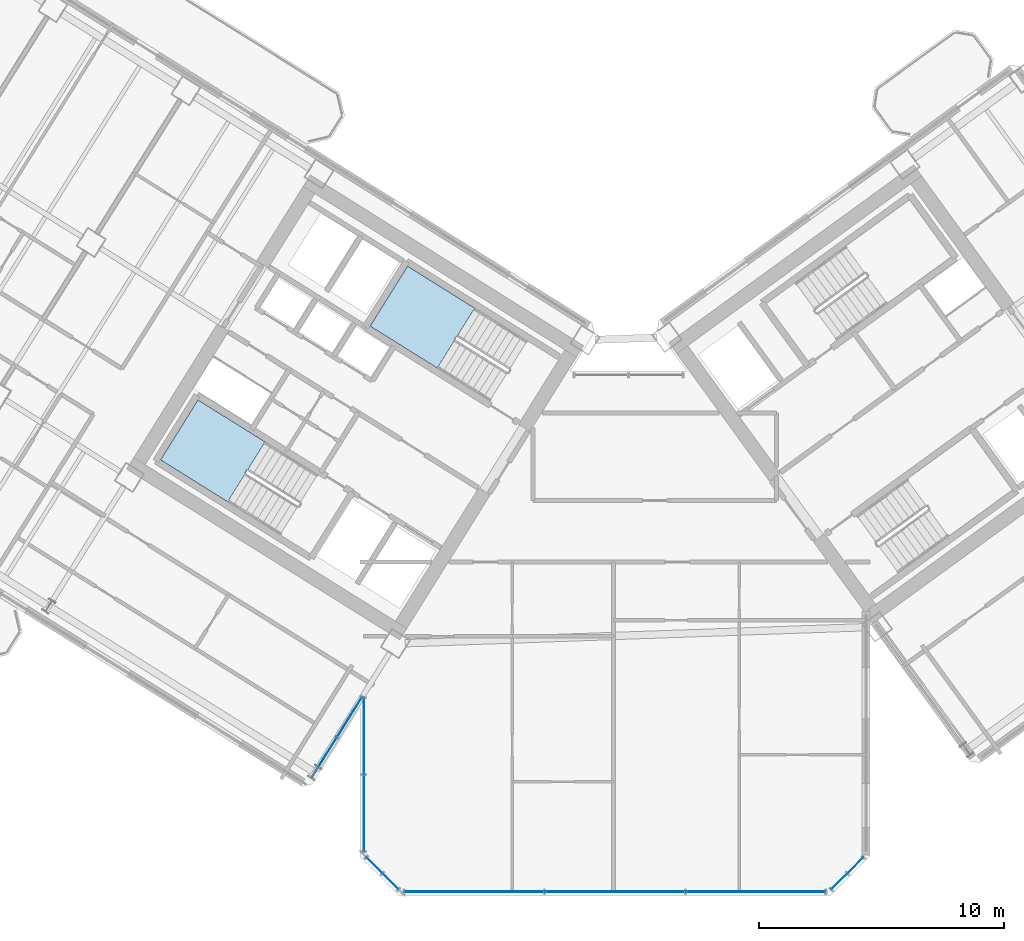
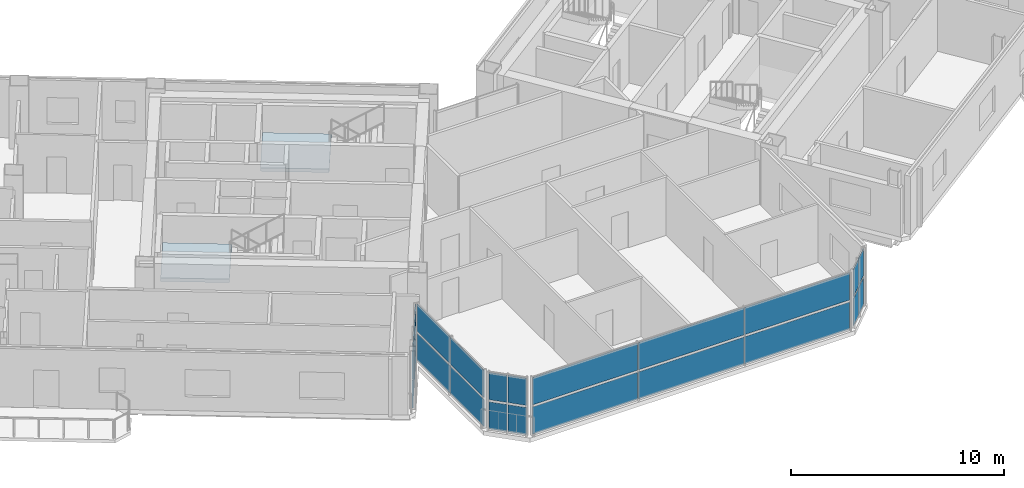
# One storey, part 14 of 29: 22 plates, 2 slabs, 7 elements without a shape of their own.
"""IFC4 building model written with IfcOpenShell, lengths in metres."""

from ifc_helpers import new_model, si_unit, direction, frame, origin, origin_2d, place, context, subcontext, project, spatial, polyline, rectangle, outline, extrude, source, transform, mapped, material, layer, layer_set, type_object, element, aggregate, save


model = new_model("IFC4")

# Units and contexts
model_context = context("Model", 3, precision=1e-05, world=origin(), true_north=direction((0.0, 1.0)))
body_context = subcontext(model_context, "Body", "Model", "MODEL_VIEW")
ifc_project = project(units=[si_unit("LENGTHUNIT", "METRE"), si_unit("AREAUNIT", "SQUARE_METRE"), si_unit("VOLUMEUNIT", "CUBIC_METRE"), si_unit("PLANEANGLEUNIT", "RADIAN"), si_unit("MASSUNIT", "GRAM", prefix="KILO")], contexts=[model_context])

# Site, building, storey
site_placement = place(None, origin())
site = spatial("IfcSite", under=ifc_project, at=site_placement, CompositionType="ELEMENT")
building_placement = place(site_placement, origin())
building = spatial("IfcBuilding", under=site, at=building_placement, Name="Tlacorven Tower", CompositionType="ELEMENT")
storey_placement = place(building_placement, frame((0.0, 0.0, 158.699951171875)))
storey = spatial("IfcBuildingStorey", under=building, at=storey_placement, Name="L40", CompositionType="ELEMENT", Elevation=158.699951171875)

# Stair, slab
ifc_material_1 = material(Name="Concrete C40/50", Category="concrete")
stair_type = type_object("IfcStairType", Name="ST-CORE-DLG", PredefinedType="HALF_TURN_STAIR", material=ifc_material_1)
stair_1_placement = place(storey_placement, origin())
stair_1 = element("IfcStair", 1, at=stair_1_placement, inside=storey, type_object=stair_type, Name="L40 Protected Exit Stair West 1", PredefinedType="HALF_TURN_STAIR")
ifc_layer_1 = layer(ifc_material_1, 0.199951171875)
ifc_layer_set_1 = layer_set([ifc_layer_1], Name="Concrete C40/50")
slab_type = type_object("IfcSlabType", Name="SL-LND-200", PredefinedType="LANDING", material=ifc_layer_set_1)
slab_1_placement = place(storey_placement, frame((0.0, 0.0, 1.60009765625)))
slab_1 = element("IfcSlab", 2, at=slab_1_placement, type_object=slab_type, Name="ST-W1 landing 1", PredefinedType="LANDING", context=body_context, shape_type="SweptSolid", body=[
    extrude(outline(polyline([(27.728515625, 20.315185546875), (24.9892578125, 22.02685546875), (23.463134765625, 19.58447265625), (26.2021484375, 17.872802734375), (27.728515625, 20.315185546875)])), origin(), (0.0, 0.0, 1.0), 0.199951171875),
])
aggregate(stair_1, [slab_1])

stair_2_placement = place(storey_placement, origin())
stair_2 = element("IfcStair", 3, at=stair_2_placement, inside=storey, type_object=stair_type, Name="L40 Protected Exit Stair West 2", PredefinedType="HALF_TURN_STAIR")
slab_2_placement = place(storey_placement, frame((0.0, 0.0, 1.60009765625)))
slab_2 = element("IfcSlab", 4, at=slab_2_placement, type_object=slab_type, Name="ST-W2 landing 1", PredefinedType="LANDING", context=body_context, shape_type="SweptSolid", body=[
    extrude(outline(polyline([(36.280029296875, 25.772705078125), (33.540771484375, 27.484375), (32.0146484375, 25.0419921875), (34.75390625, 23.33056640625), (36.280029296875, 25.772705078125)])), origin(), (0.0, 0.0, 1.0), 0.199951171875),
])
aggregate(stair_2, [slab_2])

# Curtain wall, plates
ifc_material_2 = material(Name="Dark solar low-E double glazing in aluminium frame", Category="aluminium")
curtain_wall_type = type_object("IfcCurtainWallType", Name="CW-TWR-MID", PredefinedType="USERDEFINED", material=ifc_material_2)
curtain_wall_1_placement = place(storey_placement, origin())
curtain_wall_1 = element("IfcCurtainWall", 5, at=curtain_wall_1_placement, inside=storey, type_object=curtain_wall_type, Name="L40 CW-TWR-MID Curtain Wall 178", ObjectType="UNITISED CURTAIN WALL", PredefinedType="USERDEFINED")
ifc_material_3 = material(Name="High-wind dark solar tempered low-E glazing", Category="glass")
ifc_layer_2 = layer(ifc_material_3, 0.028076171875)
ifc_layer_set_2 = layer_set([ifc_layer_2], Name="High-wind dark solar tempered low-E glazing")
plate_type = type_object("IfcPlateType", Name="CWP-03", PredefinedType="CURTAIN_PANEL", material=ifc_layer_set_2)
shared_shape_1 = source(origin(), body_context, "Body", "SweptSolid", [
    extrude(rectangle(XDim=0.885498046875, YDim=0.028076171875, at=origin_2d()), origin(), (0.0, 0.0, 1.0), 1.552978515625),
])
plate_1_placement = place(storey_placement, frame((51.816650390625, 3.04296875, 0.06103515625), z_axis=(0.0, 0.0, 1.0), x_axis=(-0.707106781187, -0.707106781187, 0.0)))
plate_1 = element("IfcPlate", 6, at=plate_1_placement, type_object=plate_type, Name="CW-L40-178 Glazing Panel 1", PredefinedType="CURTAIN_PANEL", context=body_context, shape_type="MappedRepresentation", body=[
    mapped(shared_shape_1, transform((0.0, 0.0, 0.0), scale=1.0)),
])
plate_2_placement = place(storey_placement, frame((51.816650390625, 3.04296875, 1.73583984375), z_axis=(0.0, 0.0, 1.0), x_axis=(-0.707106781187, -0.707106781187, 0.0)))
plate_2 = element("IfcPlate", 7, at=plate_2_placement, type_object=plate_type, Name="CW-L40-178 Glazing Panel 2", PredefinedType="CURTAIN_PANEL", context=body_context, shape_type="MappedRepresentation", body=[
    mapped(shared_shape_1, transform((0.0, 0.0, 0.0), scale=1.0)),
])
plate_3_placement = place(storey_placement, frame((51.1572265625, 2.38330078125, 0.06103515625), z_axis=(0.0, 0.0, 1.0), x_axis=(-0.707106781187, -0.707106781187, 0.0)))
plate_3 = element("IfcPlate", 8, at=plate_3_placement, type_object=plate_type, Name="CW-L40-178 Glazing Panel 3", PredefinedType="CURTAIN_PANEL", context=body_context, shape_type="MappedRepresentation", body=[
    mapped(shared_shape_1, transform((0.0, 0.0, 0.0), scale=1.0)),
])
plate_4_placement = place(storey_placement, frame((51.1572265625, 2.38330078125, 1.73583984375), z_axis=(0.0, 0.0, 1.0), x_axis=(-0.707106781187, -0.707106781187, 0.0)))
plate_4 = element("IfcPlate", 9, at=plate_4_placement, type_object=plate_type, Name="CW-L40-178 Glazing Panel 4", PredefinedType="CURTAIN_PANEL", context=body_context, shape_type="MappedRepresentation", body=[
    mapped(shared_shape_1, transform((0.0, 0.0, 0.0), scale=1.0)),
])
aggregate(curtain_wall_1, [plate_1, plate_2, plate_3, plate_4])

curtain_wall_2_placement = place(storey_placement, origin())
curtain_wall_2 = element("IfcCurtainWall", 10, at=curtain_wall_2_placement, inside=storey, type_object=curtain_wall_type, Name="L40 CW-TWR-MID Curtain Wall 180", ObjectType="UNITISED CURTAIN WALL", PredefinedType="USERDEFINED")
plate_5_placement = place(storey_placement, frame((32.8427734375, 2.38330078125, 0.06103515625), z_axis=(0.0, 0.0, 1.0), x_axis=(-0.707106781187, 0.707106781187, 0.0)))
plate_5 = element("IfcPlate", 11, at=plate_5_placement, type_object=plate_type, Name="CW-L40-180 Glazing Panel 1", PredefinedType="CURTAIN_PANEL", context=body_context, shape_type="MappedRepresentation", body=[
    mapped(shared_shape_1, transform((0.0, 0.0, 0.0), scale=1.0)),
])
plate_6_placement = place(storey_placement, frame((32.8427734375, 2.38330078125, 1.73583984375), z_axis=(0.0, 0.0, 1.0), x_axis=(-0.707106781187, 0.707106781187, 0.0)))
plate_6 = element("IfcPlate", 12, at=plate_6_placement, type_object=plate_type, Name="CW-L40-180 Glazing Panel 2", PredefinedType="CURTAIN_PANEL", context=body_context, shape_type="MappedRepresentation", body=[
    mapped(shared_shape_1, transform((0.0, 0.0, 0.0), scale=1.0)),
])
plate_7_placement = place(storey_placement, frame((32.183349609375, 3.04296875, 0.06103515625), z_axis=(0.0, 0.0, 1.0), x_axis=(-0.707106781187, 0.707106781187, 0.0)))
plate_7 = element("IfcPlate", 13, at=plate_7_placement, type_object=plate_type, Name="CW-L40-180 Glazing Panel 3", PredefinedType="CURTAIN_PANEL", context=body_context, shape_type="MappedRepresentation", body=[
    mapped(shared_shape_1, transform((0.0, 0.0, 0.0), scale=1.0)),
])
plate_8_placement = place(storey_placement, frame((32.183349609375, 3.04296875, 1.73583984375), z_axis=(0.0, 0.0, 1.0), x_axis=(-0.707106781187, 0.707106781187, 0.0)))
plate_8 = element("IfcPlate", 14, at=plate_8_placement, type_object=plate_type, Name="CW-L40-180 Glazing Panel 4", PredefinedType="CURTAIN_PANEL", context=body_context, shape_type="MappedRepresentation", body=[
    mapped(shared_shape_1, transform((0.0, 0.0, 0.0), scale=1.0)),
])
aggregate(curtain_wall_2, [plate_5, plate_6, plate_7, plate_8])

curtain_wall_3_placement = place(storey_placement, origin())
curtain_wall_3 = element("IfcCurtainWall", 15, at=curtain_wall_3_placement, inside=storey, type_object=curtain_wall_type, Name="L40 CW-TWR-MID Curtain Wall 179", ObjectType="UNITISED CURTAIN WALL", PredefinedType="USERDEFINED")
shared_shape_2 = source(origin(), body_context, "Body", "SweptSolid", [
    extrude(rectangle(XDim=5.67626953125, YDim=0.028076171875, at=origin_2d()), origin(), (0.0, 0.0, 1.0), 1.552978515625),
])
plate_9_placement = place(storey_placement, frame((47.739501953125, 1.9599609375, 0.06103515625), z_axis=(0.0, 0.0, 1.0), x_axis=(-1.0, 0.0, 0.0)))
plate_9 = element("IfcPlate", 16, at=plate_9_placement, type_object=plate_type, Name="CW-L40-179 Glazing Panel 1", PredefinedType="CURTAIN_PANEL", context=body_context, shape_type="MappedRepresentation", body=[
    mapped(shared_shape_2, transform((0.0, 0.0, 0.0), scale=1.0)),
])
plate_10_placement = place(storey_placement, frame((47.739501953125, 1.9599609375, 1.73583984375), z_axis=(0.0, 0.0, 1.0), x_axis=(-1.0, 0.0, 0.0)))
plate_10 = element("IfcPlate", 17, at=plate_10_placement, type_object=plate_type, Name="CW-L40-179 Glazing Panel 2", PredefinedType="CURTAIN_PANEL", context=body_context, shape_type="MappedRepresentation", body=[
    mapped(shared_shape_2, transform((0.0, 0.0, 0.0), scale=1.0)),
])
plate_11_placement = place(storey_placement, frame((36.260498046875, 1.9599609375, 0.06103515625), z_axis=(0.0, 0.0, 1.0), x_axis=(-1.0, 0.0, 0.0)))
plate_11 = element("IfcPlate", 18, at=plate_11_placement, type_object=plate_type, Name="CW-L40-179 Glazing Panel 5", PredefinedType="CURTAIN_PANEL", context=body_context, shape_type="MappedRepresentation", body=[
    mapped(shared_shape_2, transform((0.0, 0.0, 0.0), scale=1.0)),
])
plate_12_placement = place(storey_placement, frame((36.260498046875, 1.9599609375, 1.73583984375), z_axis=(0.0, 0.0, 1.0), x_axis=(-1.0, 0.0, 0.0)))
plate_12 = element("IfcPlate", 19, at=plate_12_placement, type_object=plate_type, Name="CW-L40-179 Glazing Panel 6", PredefinedType="CURTAIN_PANEL", context=body_context, shape_type="MappedRepresentation", body=[
    mapped(shared_shape_2, transform((0.0, 0.0, 0.0), scale=1.0)),
])
shared_shape_3 = source(origin(), body_context, "Body", "SweptSolid", [
    extrude(rectangle(XDim=5.708740234375, YDim=0.028076171875, at=origin_2d()), origin(), (0.0, 0.0, 1.0), 1.552978515625),
])
plate_13_placement = place(storey_placement, frame((42.0, 1.9599609375, 0.06103515625), z_axis=(0.0, 0.0, 1.0), x_axis=(-1.0, 0.0, 0.0)))
plate_13 = element("IfcPlate", 20, at=plate_13_placement, type_object=plate_type, Name="CW-L40-179 Glazing Panel 3", PredefinedType="CURTAIN_PANEL", context=body_context, shape_type="MappedRepresentation", body=[
    mapped(shared_shape_3, transform((0.0, 0.0, 0.0), scale=1.0)),
])
plate_14_placement = place(storey_placement, frame((42.0, 1.9599609375, 1.73583984375), z_axis=(0.0, 0.0, 1.0), x_axis=(-1.0, 0.0, 0.0)))
plate_14 = element("IfcPlate", 21, at=plate_14_placement, type_object=plate_type, Name="CW-L40-179 Glazing Panel 4", PredefinedType="CURTAIN_PANEL", context=body_context, shape_type="MappedRepresentation", body=[
    mapped(shared_shape_3, transform((0.0, 0.0, 0.0), scale=1.0)),
])
aggregate(curtain_wall_3, [plate_9, plate_10, plate_13, plate_14, plate_11, plate_12])

curtain_wall_4_placement = place(storey_placement, origin())
curtain_wall_4 = element("IfcCurtainWall", 22, at=curtain_wall_4_placement, inside=storey, type_object=curtain_wall_type, Name="L40 CW-TWR-MID Curtain Wall 181", ObjectType="UNITISED CURTAIN WALL", PredefinedType="USERDEFINED")
shared_shape_4 = source(origin(), body_context, "Body", "SweptSolid", [
    extrude(rectangle(XDim=3.101806640625, YDim=0.028076171875, at=origin_2d()), origin(), (0.0, 0.0, 1.0), 1.552978515625),
])
plate_15_placement = place(storey_placement, frame((31.760009765625, 5.173095703125, 0.06103515625), z_axis=(0.0, 0.0, 1.0), x_axis=(0.0, 1.0, 0.0)))
plate_15 = element("IfcPlate", 23, at=plate_15_placement, type_object=plate_type, Name="CW-L40-181 Glazing Panel 1", PredefinedType="CURTAIN_PANEL", context=body_context, shape_type="MappedRepresentation", body=[
    mapped(shared_shape_4, transform((0.0, 0.0, 0.0), scale=1.0)),
])
plate_16_placement = place(storey_placement, frame((31.760009765625, 5.173095703125, 1.73583984375), z_axis=(0.0, 0.0, 1.0), x_axis=(0.0, 1.0, 0.0)))
plate_16 = element("IfcPlate", 24, at=plate_16_placement, type_object=plate_type, Name="CW-L40-181 Glazing Panel 2", PredefinedType="CURTAIN_PANEL", context=body_context, shape_type="MappedRepresentation", body=[
    mapped(shared_shape_4, transform((0.0, 0.0, 0.0), scale=1.0)),
])
plate_17_placement = place(storey_placement, frame((31.760009765625, 8.32177734375, 0.06103515625), z_axis=(0.0, 0.0, 1.0), x_axis=(0.0, 1.0, 0.0)))
plate_17 = element("IfcPlate", 25, at=plate_17_placement, type_object=plate_type, Name="CW-L40-181 Glazing Panel 3", PredefinedType="CURTAIN_PANEL", context=body_context, shape_type="MappedRepresentation", body=[
    mapped(shared_shape_4, transform((0.0, 0.0, 0.0), scale=1.0)),
])
plate_18_placement = place(storey_placement, frame((31.760009765625, 8.32177734375, 1.73583984375), z_axis=(0.0, 0.0, 1.0), x_axis=(0.0, 1.0, 0.0)))
plate_18 = element("IfcPlate", 26, at=plate_18_placement, type_object=plate_type, Name="CW-L40-181 Glazing Panel 4", PredefinedType="CURTAIN_PANEL", context=body_context, shape_type="MappedRepresentation", body=[
    mapped(shared_shape_4, transform((0.0, 0.0, 0.0), scale=1.0)),
])
aggregate(curtain_wall_4, [plate_15, plate_16, plate_17, plate_18])

curtain_wall_5_placement = place(storey_placement, origin())
curtain_wall_5 = element("IfcCurtainWall", 27, at=curtain_wall_5_placement, inside=storey, type_object=curtain_wall_type, Name="L40 CW-TWR-MID Curtain Wall 182", ObjectType="UNITISED CURTAIN WALL", PredefinedType="USERDEFINED")
shared_shape_5 = source(origin(), body_context, "Body", "SweptSolid", [
    extrude(rectangle(XDim=1.90380859375, YDim=0.028076171875, at=origin_2d()), origin(), (0.0, 0.0, 1.0), 1.552978515625),
])
plate_19_placement = place(storey_placement, frame((31.1728515625, 9.089111328125, 0.06103515625), z_axis=(0.0, 0.0, 1.0), x_axis=(-0.529918710919, -0.848048441905, 0.0)))
plate_19 = element("IfcPlate", 28, at=plate_19_placement, type_object=plate_type, Name="CW-L40-182 Glazing Panel 1", PredefinedType="CURTAIN_PANEL", context=body_context, shape_type="MappedRepresentation", body=[
    mapped(shared_shape_5, transform((0.0, 0.0, 0.0), scale=1.0)),
])
plate_20_placement = place(storey_placement, frame((31.1728515625, 9.089111328125, 1.73583984375), z_axis=(0.0, 0.0, 1.0), x_axis=(-0.529918710919, -0.848048441905, 0.0)))
plate_20 = element("IfcPlate", 29, at=plate_20_placement, type_object=plate_type, Name="CW-L40-182 Glazing Panel 2", PredefinedType="CURTAIN_PANEL", context=body_context, shape_type="MappedRepresentation", body=[
    mapped(shared_shape_5, transform((0.0, 0.0, 0.0), scale=1.0)),
])
plate_21_placement = place(storey_placement, frame((30.13916015625, 7.4345703125, 0.06103515625), z_axis=(0.0, 0.0, 1.0), x_axis=(-0.529918710919, -0.848048441905, 0.0)))
plate_21 = element("IfcPlate", 30, at=plate_21_placement, type_object=plate_type, Name="CW-L40-182 Glazing Panel 3", PredefinedType="CURTAIN_PANEL", context=body_context, shape_type="MappedRepresentation", body=[
    mapped(shared_shape_5, transform((0.0, 0.0, 0.0), scale=1.0)),
])
plate_22_placement = place(storey_placement, frame((30.13916015625, 7.4345703125, 1.73583984375), z_axis=(0.0, 0.0, 1.0), x_axis=(-0.529918710919, -0.848048441905, 0.0)))
plate_22 = element("IfcPlate", 31, at=plate_22_placement, type_object=plate_type, Name="CW-L40-182 Glazing Panel 4", PredefinedType="CURTAIN_PANEL", context=body_context, shape_type="MappedRepresentation", body=[
    mapped(shared_shape_5, transform((0.0, 0.0, 0.0), scale=1.0)),
])
aggregate(curtain_wall_5, [plate_19, plate_20, plate_21, plate_22])

save(model, "model.ifc")
